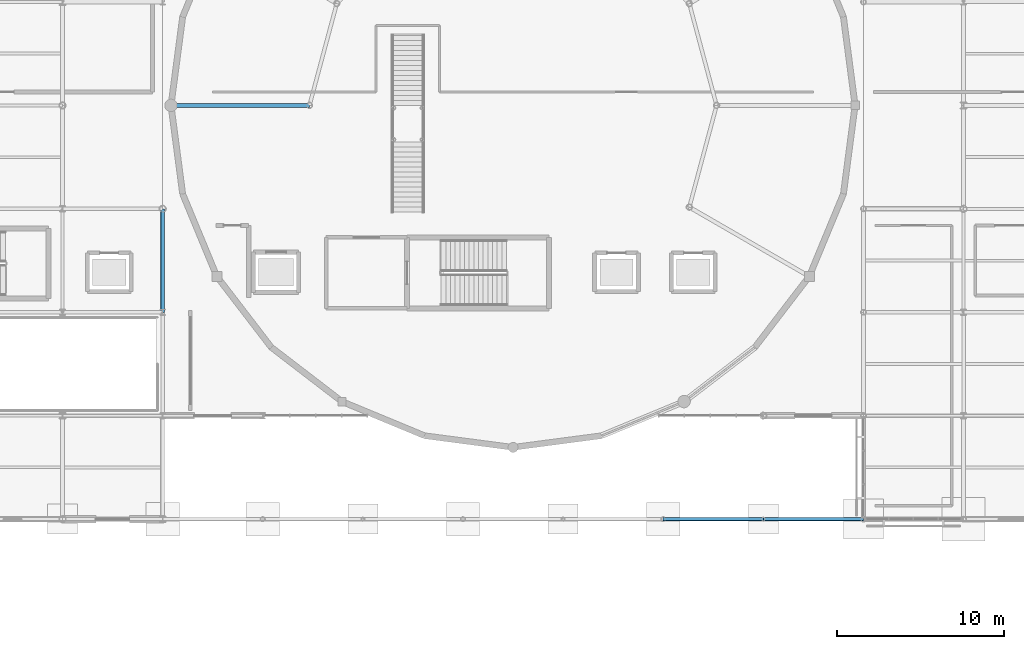
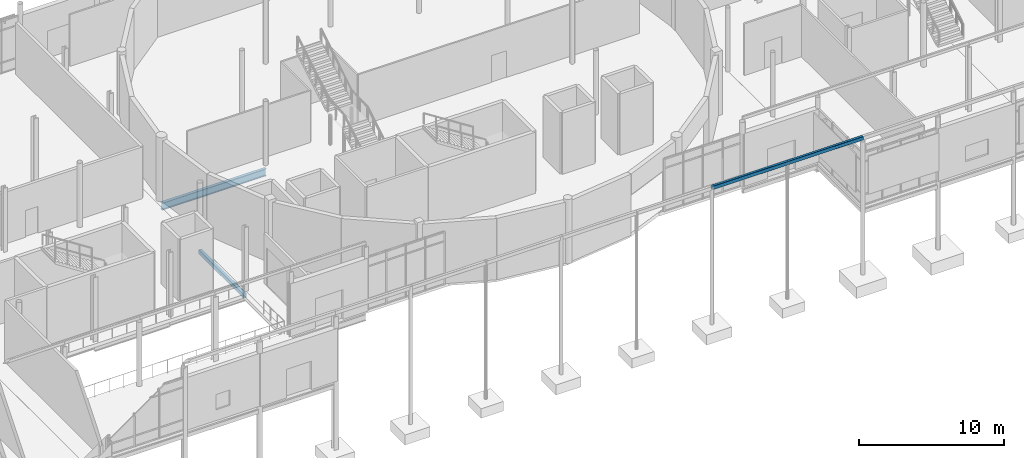
# One storey, part 36 of 98: 4 beams.
"""IFC4 building model written with IfcOpenShell, lengths in metres."""

from ifc_helpers import new_model, si_unit, direction, frame, origin, origin_2d, place, context, subcontext, project, spatial, hollow_rectangle, i_section, extrude, material, material_profile, profile_set, type_object, element, save


model = new_model("IFC4")

# Units and contexts
model_context = context("Model", 3, precision=1e-05, world=origin(), true_north=direction((0.0, 1.0)))
body_context = subcontext(model_context, "Body", "Model", "MODEL_VIEW")
ifc_project = project(units=[si_unit("LENGTHUNIT", "METRE"), si_unit("AREAUNIT", "SQUARE_METRE"), si_unit("VOLUMEUNIT", "CUBIC_METRE"), si_unit("PLANEANGLEUNIT", "RADIAN"), si_unit("MASSUNIT", "GRAM", prefix="KILO")], contexts=[model_context])

# Site, building, storey
site_placement = place(None, origin())
site = spatial("IfcSite", under=ifc_project, at=site_placement, CompositionType="ELEMENT")
building_placement = place(site_placement, origin())
building = spatial("IfcBuilding", under=site, at=building_placement, Name="Mirzam Square Science Centre", CompositionType="ELEMENT")
storey_placement = place(building_placement, origin())
storey = spatial("IfcBuildingStorey", under=building, at=storey_placement, Name="L00", CompositionType="ELEMENT", Elevation=0.0)

# Beams
ifc_material = material(Name="Steel S355", Category="steel")
ifc_material_profile_1 = material_profile(ifc_material, i_section(OverallWidth=0.22900390625, OverallDepth=0.6123046875, WebThickness=0.011962890625, FlangeThickness=0.01953125, FilletRadius=0.0126953125, at=origin_2d()), Name="610x229x125UB")
ifc_profile_set_1 = profile_set([ifc_material_profile_1], Name="Steel S355")
beam_type_1 = type_object("IfcBeamType", Name="BM-UB610", PredefinedType="BEAM", material=ifc_profile_set_1)
beam_1_placement = place(storey_placement, frame((68.800048828125, 62.0, -0.606201171875), z_axis=(-1.0, 0.0, 0.0), x_axis=(0.0, -1.0, 0.0)))
element("IfcBeam", 1, at=beam_1_placement, inside=storey, type_object=beam_type_1, Name="L00 drum radial girder 07", PredefinedType="BEAM", context=body_context, shape_type="SweptSolid", body=[
    extrude(i_section(OverallWidth=0.22900390625, OverallDepth=0.6123046875, WebThickness=0.011962890625, FlangeThickness=0.01953125, FilletRadius=0.0126953125, at=origin_2d()), origin(), (0.0, 0.0, 1.0), 8.300048828125),
])
ifc_material_profile_2 = material_profile(ifc_material, hollow_rectangle(XDim=0.199951171875, YDim=0.300048828125, WallThickness=0.010009765625, InnerFilletRadius=0.010009765625, OuterFilletRadius=0.02001953125, at=origin_2d()), Name="300x200x10.0RHS")
ifc_profile_set_2 = profile_set([ifc_material_profile_2], Name="Steel S355")
beam_type_2 = type_object("IfcBeamType", Name="SP-RHS300", PredefinedType="SPANDREL", material=ifc_profile_set_2)
for number, where, z_axis, x_axis, name in (
    (2, (90.0, 37.199951171875, 5.669921875), (1.0, 0.0, 0.0), (0.0, 1.0, 0.0), "Square colonnade beam 16"),
    (3, (96.0, 37.199951171875, 5.669921875), (1.0, 0.0, 0.0), (0.0, 1.0, 0.0), "Square colonnade beam 17"),
):
    element("IfcBeam", number, at=place(storey_placement, frame(where, z_axis=z_axis, x_axis=x_axis)), inside=storey, type_object=beam_type_2, Name=name, PredefinedType="SPANDREL", context=body_context, shape_type="SweptSolid", body=[
        extrude(hollow_rectangle(XDim=0.199951171875, YDim=0.300048828125, WallThickness=0.010009765625, InnerFilletRadius=0.010009765625, OuterFilletRadius=0.02001953125, at=origin_2d()), origin(), (0.0, 0.0, 1.0), 6.0),
    ])
ifc_material_profile_3 = material_profile(ifc_material, hollow_rectangle(XDim=0.25, YDim=0.35009765625, WallThickness=0.012451171875, InnerFilletRadius=0.012451171875, OuterFilletRadius=0.02490234375, at=origin_2d()), Name="350x250x12.5RHS")
ifc_profile_set_3 = profile_set([ifc_material_profile_3], Name="Steel S355")
beam_type_3 = type_object("IfcBeamType", Name="SP-RHS350", PredefinedType="SPANDREL", material=ifc_profile_set_3)
beam_2_placement = place(storey_placement, frame((60.0, 49.60009765625, -0.47509765625), z_axis=(0.0, 1.0, 0.0), x_axis=(-1.0, 0.0, 0.0)))
element("IfcBeam", 4, at=beam_2_placement, inside=storey, type_object=beam_type_3, Name="L00 girder Y11-9", PredefinedType="SPANDREL", context=body_context, shape_type="SweptSolid", body=[
    extrude(hollow_rectangle(XDim=0.25, YDim=0.35009765625, WallThickness=0.012451171875, InnerFilletRadius=0.012451171875, OuterFilletRadius=0.02490234375, at=origin_2d()), origin(), (0.0, 0.0, 1.0), 6.199951171875),
])

save(model, "model.ifc")
